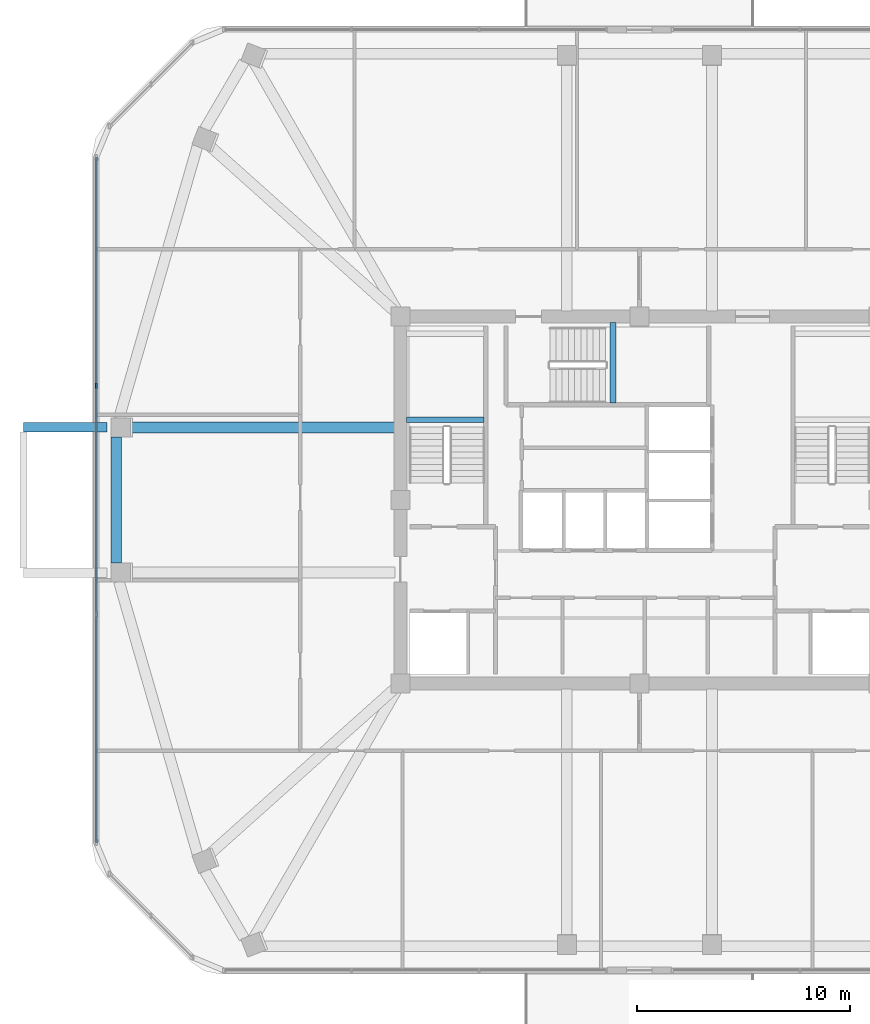
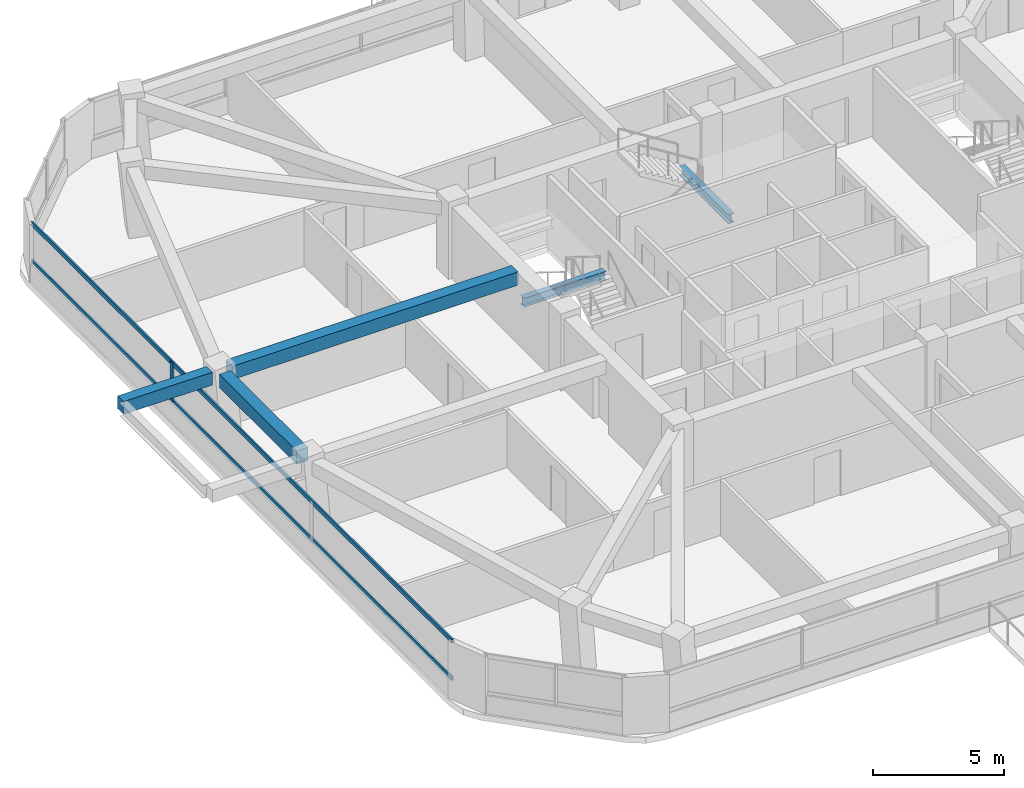
# One storey, part 3 of 12: 5 beams, 3 members, 1 element without a shape of its own.
"""IFC4 building model written with IfcOpenShell, lengths in metres."""

from ifc_helpers import new_model, si_unit, derived_unit, direction, frame, origin, origin_2d, place, context, subcontext, project, spatial, rectangle, i_section, extrude, material, material_profile, profile_set, type_object, element, aggregate, save


model = new_model("IFC4")

# Units and contexts
model_context = context("Model", 3, precision=1e-05, world=origin(), true_north=direction((0.0, 1.0)))
body_context = subcontext(model_context, "Body", "Model", "MODEL_VIEW")
ifc_project = project(units=[si_unit("LENGTHUNIT", "METRE"), si_unit("AREAUNIT", "SQUARE_METRE"), si_unit("VOLUMEUNIT", "CUBIC_METRE"), si_unit("PLANEANGLEUNIT", "RADIAN"), si_unit("MASSUNIT", "GRAM", prefix="KILO"), derived_unit("THERMALTRANSMITTANCEUNIT", [(si_unit("POWERUNIT", "WATT"), 1), (si_unit("LENGTHUNIT", "METRE"), -2), (si_unit("THERMODYNAMICTEMPERATUREUNIT", "KELVIN"), -1)])], contexts=[model_context])

# Site, building, storey
site_placement = place(None, origin())
site = spatial("IfcSite", under=ifc_project, at=site_placement, CompositionType="ELEMENT")
building_placement = place(site_placement, origin())
building = spatial("IfcBuilding", under=site, at=building_placement, Name="Koralith Skygarden Medical Center", CompositionType="ELEMENT")
storey_placement = place(building_placement, frame((0.0, 0.0, 203.580078125)))
storey = spatial("IfcBuildingStorey", under=building, at=storey_placement, Name="L52", CompositionType="ELEMENT", Elevation=203.580078125)

# Curtain wall, members
ifc_material_1 = material(Name="Clear Laminated Glass", Category="glass")
curtain_wall_type = type_object("IfcCurtainWallType", Name="CW-5 Zone 4 Flare Biophilic Curtain Wall", PredefinedType="NOTDEFINED", material=ifc_material_1)
curtain_wall_placement = place(storey_placement, origin())
curtain_wall = element("IfcCurtainWall", 1, at=curtain_wall_placement, inside=storey, type_object=curtain_wall_type, Name="Curtain Wall CW-L52-W", PredefinedType="NOTDEFINED")
ifc_material_2 = material(Name="Aluminium 6063-T6", Category="aluminium")
ifc_material_profile_1 = material_profile(ifc_material_2, rectangle(XDim=0.080078125, YDim=0.219970703125, at=origin_2d()), Name="MUL80X220")
ifc_profile_set_1 = profile_set([ifc_material_profile_1], Name="Aluminium 6063-T6")
member_type_1 = type_object("IfcMemberType", Name="CW-5 Extruded Mullion 80x220", PredefinedType="MULLION", material=ifc_profile_set_1)
member_1_placement = place(storey_placement, frame((11.549072265625, 31.2548828125, 0.849853515625), z_axis=(0.0, 0.0, 1.0), x_axis=(1.0, 0.0, 0.0)))
member_1 = element("IfcMember", 2, at=member_1_placement, type_object=member_type_1, Name="CW-L52-W Mullion 2", PredefinedType="MULLION", context=body_context, shape_type="SweptSolid", body=[
    extrude(rectangle(XDim=0.080078125, YDim=0.219970703125, at=origin_2d()), origin(), (0.0, 0.0, 1.0), 1.840087890625),
])
ifc_material_profile_2 = material_profile(ifc_material_2, rectangle(XDim=0.074951171875, YDim=0.197998046875, at=origin_2d()), Name="TRN75X198")
ifc_profile_set_2 = profile_set([ifc_material_profile_2], Name="Aluminium 6063-T6")
member_type_2 = type_object("IfcMemberType", Name="CW-5 Thermal Transom 75x198", PredefinedType="USERDEFINED", material=ifc_profile_set_2)
member_2_placement = place(storey_placement, frame((11.549072265625, 41.966064453125, 0.89990234375), z_axis=(0.0, -1.0, 0.0), x_axis=(1.0, 0.0, 0.0)))
member_2 = element("IfcMember", 3, at=member_2_placement, type_object=member_type_2, Name="CW-L52-W Transom 1", ObjectType="TRANSOM", PredefinedType="USERDEFINED", context=body_context, shape_type="SweptSolid", body=[
    extrude(rectangle(XDim=0.074951171875, YDim=0.197998046875, at=origin_2d()), origin(), (0.0, 0.0, 1.0), 32.132080078125),
])
member_3_placement = place(storey_placement, frame((11.549072265625, 41.966064453125, 2.639892578125), z_axis=(0.0, -1.0, 0.0), x_axis=(1.0, 0.0, 0.0)))
member_3 = element("IfcMember", 4, at=member_3_placement, type_object=member_type_2, Name="CW-L52-W Transom 2", ObjectType="TRANSOM", PredefinedType="USERDEFINED", context=body_context, shape_type="SweptSolid", body=[
    extrude(rectangle(XDim=0.074951171875, YDim=0.197998046875, at=origin_2d()), origin(), (0.0, 0.0, 1.0), 32.132080078125),
])
aggregate(curtain_wall, [member_1, member_2, member_3])

# Beams
ifc_material_3 = material(Name="Steel ASTM A992 Grade 50", Category="steel")
ifc_material_profile_3 = material_profile(ifc_material_3, i_section(OverallWidth=0.260009765625, OverallDepth=0.4150390625, WebThickness=0.010009765625, FlangeThickness=0.016845703125, at=origin_2d()), Name="W16X67")
ifc_profile_set_3 = profile_set([ifc_material_profile_3], Name="Steel ASTM A992 Grade 50")
beam_type_1 = type_object("IfcBeamType", Name="Clinical Floor Joist W16X67", PredefinedType="JOIST", material=ifc_profile_set_3)
beam_1_placement = place(storey_placement, frame((26.080078125, 29.659912109375, 1.391845703125), z_axis=(1.0, 0.0, 0.0), x_axis=(0.0, 1.0, 0.0)))
element("IfcBeam", 5, at=beam_1_placement, inside=storey, type_object=beam_type_1, Name="L52 Stair ST1 Half-Landing Support Beam 1A", PredefinedType="JOIST", context=body_context, shape_type="SweptSolid", body=[
    extrude(i_section(OverallWidth=0.260009765625, OverallDepth=0.4150390625, WebThickness=0.010009765625, FlangeThickness=0.016845703125, at=origin_2d()), origin(), (0.0, 0.0, 1.0), 3.639892578125),
])
beam_2_placement = place(storey_placement, frame((35.760009765625, 30.43994140625, 1.391845703125), z_axis=(0.0, 1.0, 0.0), x_axis=(-1.0, 0.0, 0.0)))
element("IfcBeam", 6, at=beam_2_placement, inside=storey, type_object=beam_type_1, Name="L52 Stair ST3 Half-Landing Support Beam 1A", PredefinedType="JOIST", context=body_context, shape_type="SweptSolid", body=[
    extrude(i_section(OverallWidth=0.260009765625, OverallDepth=0.4150390625, WebThickness=0.010009765625, FlangeThickness=0.016845703125, at=origin_2d()), origin(), (0.0, 0.0, 1.0), 3.780029296875),
])
ifc_material_4 = material(Name="Concrete C45/55", Category="concrete")
ifc_material_profile_4 = material_profile(ifc_material_4, rectangle(XDim=0.449951171875, YDim=0.60009765625, at=origin_2d()), Name="RCB450X600")
ifc_profile_set_4 = profile_set([ifc_material_profile_4], Name="Concrete C45/55")
beam_type_2 = type_object("IfcBeamType", Name="Planted Balcony Cantilever Beam RCB450X600", PredefinedType="BEAM", material=ifc_profile_set_4)
beam_3_placement = place(storey_placement, frame((12.056884765625, 29.300048828125, 3.0400390625), z_axis=(-1.0, 0.0, 0.0), x_axis=(0.0, -1.0, 0.0)))
element("IfcBeam", 7, at=beam_3_placement, inside=storey, type_object=beam_type_2, Name="L53 W Balcony Cantilever Beam B", PredefinedType="BEAM", context=body_context, shape_type="SweptSolid", body=[
    extrude(rectangle(XDim=0.449951171875, YDim=0.60009765625, at=origin_2d()), origin(), (0.0, 0.0, 1.0), 3.919921875),
])
ifc_material_profile_5 = material_profile(ifc_material_4, rectangle(XDim=0.5, YDim=0.6201171875, at=origin_2d()), Name="RCB500X620")
ifc_profile_set_5 = profile_set([ifc_material_profile_5], Name="Concrete C45/55")
beam_type_3 = type_object("IfcBeamType", Name="Upper Radial Collector Beam RCB500X620", PredefinedType="BEAM", material=ifc_profile_set_5)
beam_4_placement = place(storey_placement, frame((25.550048828125, 29.300048828125, 3.010009765625), z_axis=(-1.0, 0.0, 0.0), x_axis=(0.0, -1.0, 0.0)))
element("IfcBeam", 8, at=beam_4_placement, inside=storey, type_object=beam_type_3, Name="L52 Radial Collector Beam RB-16", PredefinedType="BEAM", context=body_context, shape_type="SweptSolid", body=[
    extrude(rectangle(XDim=0.5, YDim=0.6201171875, at=origin_2d()), origin(), (0.0, 0.0, 1.0), 12.623046875),
])
ifc_material_profile_6 = material_profile(ifc_material_4, rectangle(XDim=0.5, YDim=0.6201171875, at=origin_2d()), Name="RCB500X620")
ifc_profile_set_6 = profile_set([ifc_material_profile_6], Name="Concrete C45/55")
beam_type_4 = type_object("IfcBeamType", Name="Zone 4-5 Spandrel Beam RCB500X620", PredefinedType="SPANDREL", material=ifc_profile_set_6)
beam_5_placement = place(storey_placement, frame((12.487060546875, 28.860107421875, 3.010009765625), z_axis=(0.0, -1.0, 0.0), x_axis=(1.0, 0.0, 0.0)))
element("IfcBeam", 9, at=beam_5_placement, inside=storey, type_object=beam_type_4, Name="L52 Perimeter Spandrel Beam SP-16", PredefinedType="SPANDREL", context=body_context, shape_type="SweptSolid", body=[
    extrude(rectangle(XDim=0.5, YDim=0.6201171875, at=origin_2d()), origin(), (0.0, 0.0, 1.0), 5.920166015625),
])

save(model, "model.ifc")
